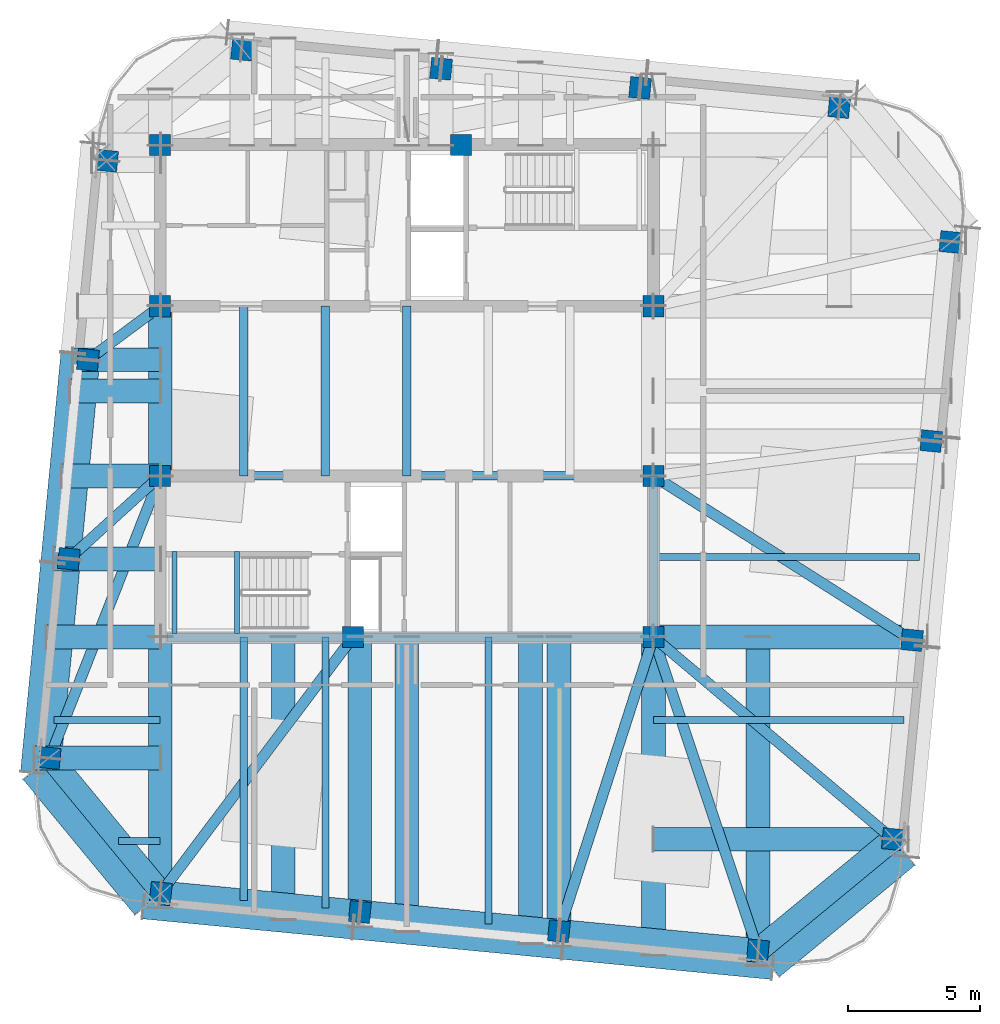
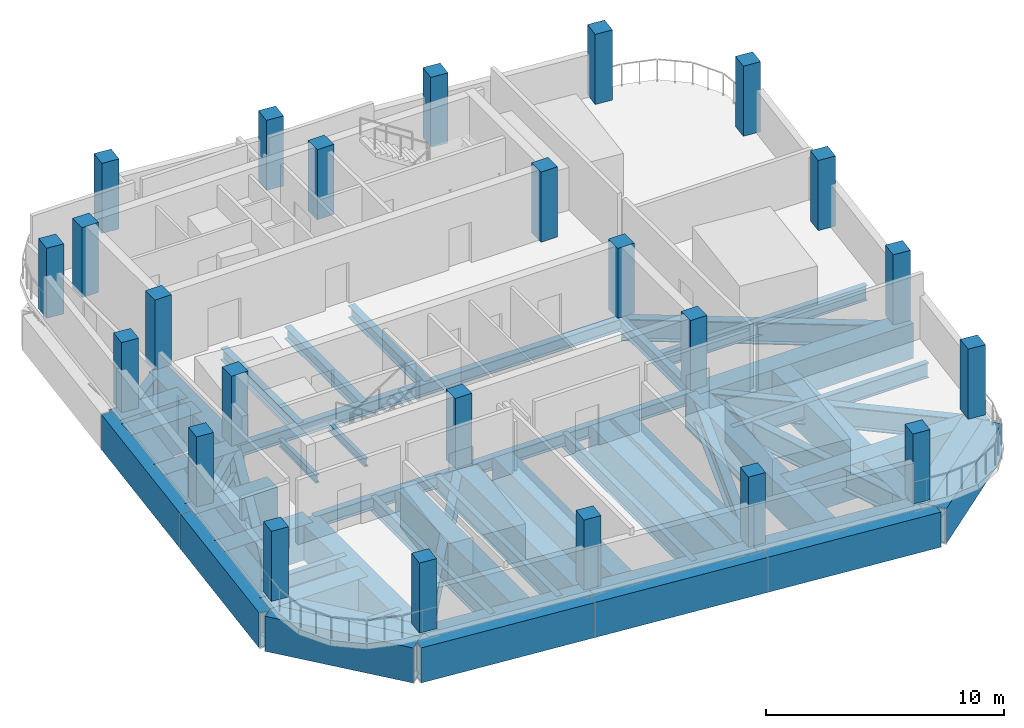
# One storey, part 1 of 10: 54 beams, 24 columns.
"""IFC4 building model written with IfcOpenShell, lengths in metres."""

from ifc_helpers import new_model, si_unit, direction, frame, origin, origin_2d, place, context, subcontext, project, spatial, rectangle, hollow_rectangle, i_section, extrude, material, material_profile, profile_set, type_object, element, save


model = new_model("IFC4")

# Units and contexts
model_context = context("Model", 3, precision=1e-05, world=origin(), true_north=direction((0.0, 1.0)))
body_context = subcontext(model_context, "Body", "Model", "MODEL_VIEW")
ifc_project = project(units=[si_unit("LENGTHUNIT", "METRE"), si_unit("AREAUNIT", "SQUARE_METRE"), si_unit("VOLUMEUNIT", "CUBIC_METRE"), si_unit("PLANEANGLEUNIT", "RADIAN"), si_unit("MASSUNIT", "GRAM", prefix="KILO")], contexts=[model_context])

# Site, building, storey
site_placement = place(None, origin())
site = spatial("IfcSite", under=ifc_project, at=site_placement, CompositionType="ELEMENT")
building_placement = place(site_placement, origin())
building = spatial("IfcBuilding", under=site, at=building_placement, Name="Qhalaya Broadcast Tower", CompositionType="ELEMENT")
storey_placement = place(building_placement, frame((0.0, 0.0, 289.25)))
storey = spatial("IfcBuildingStorey", under=building, at=storey_placement, Name="L85", CompositionType="ELEMENT", Elevation=289.25)

# Columns
ifc_material_1 = material(Name="Concrete C50/60", Category="concrete")
ifc_material_profile_1 = material_profile(ifc_material_1, rectangle(XDim=0.800048828125, YDim=0.800048828125, at=origin_2d()), Name="RC-COL 800x800")
ifc_profile_set_1 = profile_set([ifc_material_profile_1], Name="Concrete C50/60")
column_type = type_object("IfcColumnType", Name="RC Upper Column C10", PredefinedType="COLUMN", material=ifc_profile_set_1)
for number, where, z_axis, x_axis, name in (
    (1, (-9.3505859375, -18.47314453125, 0.0), (0.0, 0.0, 1.0), (0.995396198367, -0.09584575252, 0.0), "L85 Column COL-CR01"),
    (2, (-1.78564453125, -19.20166015625, 0.0), (0.0, 0.0, 1.0), (0.995396198367, -0.09584575252, 0.0), "L85 Column COL-CR02"),
    (3, (5.779296875, -19.93017578125, 0.0), (0.0, 0.0, 1.0), (0.995396198367, -0.09584575252, 0.0), "L85 Column COL-CR03"),
    (4, (13.344482421875, -20.658447265625, 0.0), (0.0, 0.0, 1.0), (0.995396198367, -0.09584575252, 0.0), "L85 Column COL-CR04"),
    (5, (18.47314453125, -16.4306640625, 0.0), (0.0, 0.0, 1.0), (0.09584575252, 0.995396198367, 0.0), "L85 Column COL-CR05"),
    (6, (19.20166015625, -8.865478515625, 0.0), (0.0, 0.0, 1.0), (0.09584575252, 0.995396198367, 0.0), "L85 Column COL-CR06"),
    (7, (19.93017578125, -1.300537109375, 0.0), (0.0, 0.0, 1.0), (0.09584575252, 0.995396198367, 0.0), "L85 Column COL-CR07"),
    (8, (20.658447265625, 6.264404296875, 0.0), (0.0, 0.0, 1.0), (0.09584575252, 0.995396198367, 0.0), "L85 Column COL-CR08"),
    (9, (16.4306640625, 11.393310546875, 0.0), (0.0, 0.0, 1.0), (0.995396198367, -0.09584575252, 0.0), "L85 Column COL-CR09"),
    (10, (8.865478515625, 12.12158203125, 0.0), (0.0, 0.0, 1.0), (0.995396198367, -0.09584575252, 0.0), "L85 Column COL-CR10"),
    (11, (1.300537109375, 12.85009765625, 0.0), (0.0, 0.0, 1.0), (0.995396198367, -0.09584575252, 0.0), "L85 Column COL-CR11"),
    (12, (-6.264404296875, 13.57861328125, 0.0), (0.0, 0.0, 1.0), (0.995396198367, -0.09584575252, 0.0), "L85 Column COL-CR12"),
    (13, (-11.393310546875, 9.3505859375, 0.0), (0.0, 0.0, 1.0), (0.09584575252, 0.995396198367, 0.0), "L85 Column COL-CR13"),
    (14, (-12.12158203125, 1.78564453125, 0.0), (0.0, 0.0, 1.0), (0.09584575252, 0.995396198367, 0.0), "L85 Column COL-CR14"),
    (15, (-12.85009765625, -5.779296875, 0.0), (0.0, 0.0, 1.0), (0.09584575252, 0.995396198367, 0.0), "L85 Column COL-CR15"),
    (16, (-13.57861328125, -13.344482421875, 0.0), (0.0, 0.0, 1.0), (0.09584575252, 0.995396198367, 0.0), "L85 Column COL-CR16"),
    (17, (-9.375, 9.949951171875, 0.0), (0.0, 0.0, 1.0), (1.0, 0.0, 0.0), "L85 Column COL-CC1"),
    (18, (2.050048828125, 9.949951171875, 0.0), (0.0, 0.0, 1.0), (1.0, 0.0, 0.0), "L85 Column COL-CC2"),
    (19, (-9.375, 3.824951171875, 0.0), (0.0, 0.0, 1.0), (1.0, 0.0, 0.0), "L85 Column COL-CC3"),
    (20, (9.375, 3.824951171875, 0.0), (0.0, 0.0, 1.0), (1.0, 0.0, 0.0), "L85 Column COL-CC4"),
    (21, (-9.375, -2.625, 0.0), (0.0, 0.0, 1.0), (1.0, 0.0, 0.0), "L85 Column COL-CC5"),
    (22, (9.375, -2.625, 0.0), (0.0, 0.0, 1.0), (1.0, 0.0, 0.0), "L85 Column COL-CC6"),
    (23, (-2.050048828125, -8.75, 0.0), (0.0, 0.0, 1.0), (1.0, 0.0, 0.0), "L85 Column COL-CC7"),
    (24, (9.375, -8.75, 0.0), (0.0, 0.0, 1.0), (1.0, 0.0, 0.0), "L85 Column COL-CC8"),
):
    element("IfcColumn", number, at=place(storey_placement, frame(where, z_axis=z_axis, x_axis=x_axis)), inside=storey, type_object=column_type, Name=name, PredefinedType="COLUMN", context=body_context, shape_type="SweptSolid", body=[
        extrude(rectangle(XDim=0.800048828125, YDim=0.800048828125, at=origin_2d()), origin(), (0.0, 0.0, 1.0), 3.60009765625),
    ])

# Beams
ifc_material_2 = material(Name="Structural Steel ASTM A572 Grade 50", Category="steel")
ifc_material_profile_2 = material_profile(ifc_material_2, hollow_rectangle(XDim=0.89990234375, YDim=1.800048828125, WallThickness=0.06005859375, at=origin_2d()), Name="BOX 900x1800x60")
ifc_profile_set_2 = profile_set([ifc_material_profile_2], Name="Structural Steel ASTM A572 Grade 50")
beam_type_1 = type_object("IfcBeamType", Name="Block Cantilever Transfer Box Girder TG1", PredefinedType="USERDEFINED", material=ifc_profile_set_2)
for number, where, z_axis, x_axis, name in (
    (25, (-9.3505859375, -18.47314453125, -1.179931640625), (0.995395010529, -0.095858087892, 0.0), (0.095858087892, 0.995395010529, 0.0), "L85 TG1 L85-SPR-01"),
    (26, (-1.78564453125, -19.20166015625, -1.179931640625), (0.995395010529, -0.095858087892, 0.0), (0.095858087892, 0.995395010529, 0.0), "L85 TG1 L85-SPR-02"),
):
    element("IfcBeam", number, at=place(storey_placement, frame(where, z_axis=z_axis, x_axis=x_axis)), inside=storey, type_object=beam_type_1, Name=name, ObjectType="GIRDER", PredefinedType="USERDEFINED", context=body_context, shape_type="SweptSolid", body=[
        extrude(hollow_rectangle(XDim=0.89990234375, YDim=1.800048828125, WallThickness=0.06005859375, at=origin_2d()), origin(), (0.0, 0.0, 1.0), 7.599853515625),
    ])
beam_1_placement = place(storey_placement, frame((5.779296875, -19.93017578125, -1.179931640625), z_axis=(0.995398370168, -0.09582319483, 0.0), x_axis=(0.09582319483, 0.995398370168, 0.0)))
element("IfcBeam", 27, at=beam_1_placement, inside=storey, type_object=beam_type_1, Name="L85 TG1 L85-SPR-03", ObjectType="GIRDER", PredefinedType="USERDEFINED", context=body_context, shape_type="SweptSolid", body=[
    extrude(hollow_rectangle(XDim=0.89990234375, YDim=1.800048828125, WallThickness=0.06005859375, at=origin_2d()), origin(), (0.0, 0.0, 1.0), 7.60009765625),
])
beam_2_placement = place(storey_placement, frame((13.344482421875, -20.658447265625, -1.179931640625), z_axis=(0.771621598903, 0.63608184073, 0.0), x_axis=(-0.63608184073, 0.771621598903, 0.0)))
element("IfcBeam", 28, at=beam_2_placement, inside=storey, type_object=beam_type_1, Name="L85 TG1 L85-SPR-04", ObjectType="GIRDER", PredefinedType="USERDEFINED", context=body_context, shape_type="SweptSolid", body=[
    extrude(hollow_rectangle(XDim=0.89990234375, YDim=1.800048828125, WallThickness=0.06005859375, at=origin_2d()), origin(), (0.0, 0.0, 1.0), 6.646484375),
])
beam_3_placement = place(storey_placement, frame((-12.12158203125, 1.78564453125, -1.179931640625), z_axis=(-0.095858087892, -0.995395010529, 0.0), x_axis=(0.995395010529, -0.095858087892, 0.0)))
element("IfcBeam", 29, at=beam_3_placement, inside=storey, type_object=beam_type_1, Name="L85 TG1 L85-SPR-14", ObjectType="GIRDER", PredefinedType="USERDEFINED", context=body_context, shape_type="SweptSolid", body=[
    extrude(hollow_rectangle(XDim=0.89990234375, YDim=1.800048828125, WallThickness=0.06005859375, at=origin_2d()), origin(), (0.0, 0.0, 1.0), 7.599853515625),
])
beam_4_placement = place(storey_placement, frame((-12.85009765625, -5.779296875, -1.179931640625), z_axis=(-0.095855022822, -0.995395305695, 0.0), x_axis=(0.995395305695, -0.095855022822, 0.0)))
element("IfcBeam", 30, at=beam_4_placement, inside=storey, type_object=beam_type_1, Name="L85 TG1 L85-SPR-15", ObjectType="GIRDER", PredefinedType="USERDEFINED", context=body_context, shape_type="SweptSolid", body=[
    extrude(hollow_rectangle(XDim=0.89990234375, YDim=1.800048828125, WallThickness=0.06005859375, at=origin_2d()), origin(), (0.0, 0.0, 1.0), 7.60009765625),
])
beam_5_placement = place(storey_placement, frame((-13.57861328125, -13.344482421875, -1.179931640625), z_axis=(0.636103709979, -0.771603570593, 0.0), x_axis=(0.771603570593, 0.636103709979, 0.0)))
element("IfcBeam", 31, at=beam_5_placement, inside=storey, type_object=beam_type_1, Name="L85 TG1 L85-SPR-16", ObjectType="GIRDER", PredefinedType="USERDEFINED", context=body_context, shape_type="SweptSolid", body=[
    extrude(hollow_rectangle(XDim=0.89990234375, YDim=1.800048828125, WallThickness=0.06005859375, at=origin_2d()), origin(), (0.0, 0.0, 1.0), 6.646728515625),
])
for number, where, z_axis, x_axis, name in (
    (32, (-10.00537109375, -19.012939453125, -1.179931640625), (0.995395208061, -0.095856036684, 0.0), (0.095856036684, 0.995395208061, 0.0), "L85 TG1 L85-TGL-01"),
    (33, (-2.042236328125, -19.77978515625, -1.179931640625), (0.995398119444, -0.095825799278, 0.0), (0.095825799278, 0.995398119444, 0.0), "L85 TG1 L85-TGL-02"),
    (34, (5.9208984375, -20.54638671875, -1.179931640625), (0.995395208061, -0.095856036684, 0.0), (0.095856036684, 0.995395208061, 0.0), "L85 TG1 L85-TGL-03"),
):
    element("IfcBeam", number, at=place(storey_placement, frame(where, z_axis=z_axis, x_axis=x_axis)), inside=storey, type_object=beam_type_1, Name=name, ObjectType="GIRDER", PredefinedType="USERDEFINED", context=body_context, shape_type="SweptSolid", body=[
        extrude(hollow_rectangle(XDim=0.89990234375, YDim=1.800048828125, WallThickness=0.06005859375, at=origin_2d()), origin(), (0.0, 0.0, 1.0), 8.0),
    ])
beam_6_placement = place(storey_placement, frame((13.884033203125, -21.313232421875, -1.179931640625), z_axis=(0.771636459898, 0.636063812645, 0.0), x_axis=(-0.636063812645, 0.771636459898, 0.0)))
element("IfcBeam", 35, at=beam_6_placement, inside=storey, type_object=beam_type_1, Name="L85 TG1 L85-TGL-04", ObjectType="GIRDER", PredefinedType="USERDEFINED", context=body_context, shape_type="SweptSolid", body=[
    extrude(hollow_rectangle(XDim=0.89990234375, YDim=1.800048828125, WallThickness=0.06005859375, at=origin_2d()), origin(), (0.0, 0.0, 1.0), 6.646728515625),
])
for number, where, z_axis, x_axis, name in (
    (36, (-12.69970703125, 2.042236328125, -1.179931640625), (-0.095856036684, -0.995395208061, 0.0), (0.995395208061, -0.095856036684, 0.0), "L85 TG1 L85-TGL-14"),
    (37, (-13.466552734375, -5.9208984375, -1.179931640625), (-0.095856036684, -0.995395208061, 0.0), (0.995395208061, -0.095856036684, 0.0), "L85 TG1 L85-TGL-15"),
):
    element("IfcBeam", number, at=place(storey_placement, frame(where, z_axis=z_axis, x_axis=x_axis)), inside=storey, type_object=beam_type_1, Name=name, ObjectType="GIRDER", PredefinedType="USERDEFINED", context=body_context, shape_type="SweptSolid", body=[
        extrude(hollow_rectangle(XDim=0.89990234375, YDim=1.800048828125, WallThickness=0.06005859375, at=origin_2d()), origin(), (0.0, 0.0, 1.0), 8.0),
    ])
beam_7_placement = place(storey_placement, frame((-14.2333984375, -13.884033203125, -1.179931640625), z_axis=(0.636085682117, -0.771618432262, 0.0), x_axis=(0.771618432262, 0.636085682117, 0.0)))
element("IfcBeam", 38, at=beam_7_placement, inside=storey, type_object=beam_type_1, Name="L85 TG1 L85-TGL-16", ObjectType="GIRDER", PredefinedType="USERDEFINED", context=body_context, shape_type="SweptSolid", body=[
    extrude(hollow_rectangle(XDim=0.89990234375, YDim=1.800048828125, WallThickness=0.06005859375, at=origin_2d()), origin(), (0.0, 0.0, 1.0), 6.64697265625),
])
beam_8_placement = place(storey_placement, frame((0.0, -19.936279296875, -1.179931640625), z_axis=(0.0, 1.0, 0.0), x_axis=(-1.0, 0.0, 0.0)))
element("IfcBeam", 39, at=beam_8_placement, inside=storey, type_object=beam_type_1, Name="L85 TG1 L85-TGIMS-1", ObjectType="GIRDER", PredefinedType="USERDEFINED", context=body_context, shape_type="SweptSolid", body=[
    extrude(hollow_rectangle(XDim=0.89990234375, YDim=1.800048828125, WallThickness=0.06005859375, at=origin_2d()), origin(), (0.0, 0.0, 1.0), 11.186279296875),
])
beam_9_placement = place(storey_placement, frame((-4.699951171875, -19.483642578125, -1.179931640625), z_axis=(0.0, 1.0, 0.0), x_axis=(-1.0, 0.0, 0.0)))
element("IfcBeam", 40, at=beam_9_placement, inside=storey, type_object=beam_type_1, Name="L85 TG1 L85-TGIMSW-1", ObjectType="GIRDER", PredefinedType="USERDEFINED", context=body_context, shape_type="SweptSolid", body=[
    extrude(hollow_rectangle(XDim=0.89990234375, YDim=1.800048828125, WallThickness=0.06005859375, at=origin_2d()), origin(), (0.0, 0.0, 1.0), 10.733642578125),
])
beam_10_placement = place(storey_placement, frame((4.699951171875, -20.388671875, -1.179931640625), z_axis=(0.0, 1.0, 0.0), x_axis=(-1.0, 0.0, 0.0)))
element("IfcBeam", 41, at=beam_10_placement, inside=storey, type_object=beam_type_1, Name="L85 TG1 L85-TGIMSE-1", ObjectType="GIRDER", PredefinedType="USERDEFINED", context=body_context, shape_type="SweptSolid", body=[
    extrude(hollow_rectangle(XDim=0.89990234375, YDim=1.800048828125, WallThickness=0.06005859375, at=origin_2d()), origin(), (0.0, 0.0, 1.0), 11.638671875),
])
beam_11_placement = place(storey_placement, frame((-12.79833984375, 0.60009765625, -1.179931640625), z_axis=(1.0, 0.0, 0.0), x_axis=(0.0, 1.0, 0.0)))
element("IfcBeam", 42, at=beam_11_placement, inside=storey, type_object=beam_type_1, Name="L85 TG1 L85-TGIYW-1", ObjectType="GIRDER", PredefinedType="USERDEFINED", context=body_context, shape_type="SweptSolid", body=[
    extrude(hollow_rectangle(XDim=0.89990234375, YDim=1.800048828125, WallThickness=0.06005859375, at=origin_2d()), origin(), (0.0, 0.0, 1.0), 3.42333984375),
])
beam_12_placement = place(storey_placement, frame((-9.375, -19.033447265625, -1.179931640625), z_axis=(0.0, 1.0, 0.0), x_axis=(-1.0, 0.0, 0.0)))
element("IfcBeam", 43, at=beam_12_placement, inside=storey, type_object=beam_type_1, Name="L85 TG1 L85-TGISW-1", ObjectType="GIRDER", PredefinedType="USERDEFINED", context=body_context, shape_type="SweptSolid", body=[
    extrude(hollow_rectangle(XDim=0.89990234375, YDim=1.800048828125, WallThickness=0.06005859375, at=origin_2d()), origin(), (0.0, 0.0, 1.0), 10.283447265625),
])
beam_13_placement = place(storey_placement, frame((9.375, -20.8388671875, -1.179931640625), z_axis=(0.0, 1.0, 0.0), x_axis=(-1.0, 0.0, 0.0)))
element("IfcBeam", 44, at=beam_13_placement, inside=storey, type_object=beam_type_1, Name="L85 TG1 L85-TGISE-1", ObjectType="GIRDER", PredefinedType="USERDEFINED", context=body_context, shape_type="SweptSolid", body=[
    extrude(hollow_rectangle(XDim=0.89990234375, YDim=1.800048828125, WallThickness=0.06005859375, at=origin_2d()), origin(), (0.0, 0.0, 1.0), 12.0888671875),
])
beam_14_placement = place(storey_placement, frame((-9.375, -2.625, -1.179931640625), z_axis=(0.0, 1.0, 0.0), x_axis=(-1.0, 0.0, 0.0)))
element("IfcBeam", 45, at=beam_14_placement, inside=storey, type_object=beam_type_1, Name="L85 TG1 L85-TGIMW-1", ObjectType="GIRDER", PredefinedType="USERDEFINED", context=body_context, shape_type="SweptSolid", body=[
    extrude(hollow_rectangle(XDim=0.89990234375, YDim=1.800048828125, WallThickness=0.06005859375, at=origin_2d()), origin(), (0.0, 0.0, 1.0), 6.449951171875),
])
beam_15_placement = place(storey_placement, frame((-13.69873046875, -8.75, -1.179931640625), z_axis=(1.0, 0.0, 0.0), x_axis=(0.0, 1.0, 0.0)))
element("IfcBeam", 46, at=beam_15_placement, inside=storey, type_object=beam_type_1, Name="L85 TG1 L85-TGIY1W-1", ObjectType="GIRDER", PredefinedType="USERDEFINED", context=body_context, shape_type="SweptSolid", body=[
    extrude(hollow_rectangle(XDim=0.89990234375, YDim=1.800048828125, WallThickness=0.06005859375, at=origin_2d()), origin(), (0.0, 0.0, 1.0), 4.32373046875),
])
beam_16_placement = place(storey_placement, frame((9.375, -8.75, -1.179931640625), z_axis=(1.0, 0.0, 0.0), x_axis=(0.0, 1.0, 0.0)))
element("IfcBeam", 47, at=beam_16_placement, inside=storey, type_object=beam_type_1, Name="L85 TG1 L85-TGIY1E-1", ObjectType="GIRDER", PredefinedType="USERDEFINED", context=body_context, shape_type="SweptSolid", body=[
    extrude(hollow_rectangle(XDim=0.89990234375, YDim=1.800048828125, WallThickness=0.06005859375, at=origin_2d()), origin(), (0.0, 0.0, 1.0), 10.400390625),
])
beam_17_placement = place(storey_placement, frame((-13.10888671875, -2.625, -1.179931640625), z_axis=(1.0, 0.0, 0.0), x_axis=(0.0, 1.0, 0.0)))
element("IfcBeam", 48, at=beam_17_placement, inside=storey, type_object=beam_type_1, Name="L85 TG1 L85-TGIY2W-1", ObjectType="GIRDER", PredefinedType="USERDEFINED", context=body_context, shape_type="SweptSolid", body=[
    extrude(hollow_rectangle(XDim=0.89990234375, YDim=1.800048828125, WallThickness=0.06005859375, at=origin_2d()), origin(), (0.0, 0.0, 1.0), 3.73388671875),
])
beam_18_placement = place(storey_placement, frame((-1.78564453125, -19.76416015625, -1.179931640625), z_axis=(0.0, 1.0, 0.0), x_axis=(-1.0, 0.0, 0.0)))
element("IfcBeam", 49, at=beam_18_placement, inside=storey, type_object=beam_type_1, Name="L85 Spanning Transfer Box Girder 02", ObjectType="GIRDER", PredefinedType="USERDEFINED", context=body_context, shape_type="SweptSolid", body=[
    extrude(hollow_rectangle(XDim=0.89990234375, YDim=1.800048828125, WallThickness=0.06005859375, at=origin_2d()), origin(), (0.0, 0.0, 1.0), 11.01416015625),
])
beam_19_placement = place(storey_placement, frame((5.779296875, -20.49267578125, -1.179931640625), z_axis=(0.0, 1.0, 0.0), x_axis=(-1.0, 0.0, 0.0)))
element("IfcBeam", 50, at=beam_19_placement, inside=storey, type_object=beam_type_1, Name="L85 Spanning Transfer Box Girder 03", ObjectType="GIRDER", PredefinedType="USERDEFINED", context=body_context, shape_type="SweptSolid", body=[
    extrude(hollow_rectangle(XDim=0.89990234375, YDim=1.800048828125, WallThickness=0.06005859375, at=origin_2d()), origin(), (0.0, 0.0, 1.0), 11.74267578125),
])
beam_20_placement = place(storey_placement, frame((13.344482421875, -21.22119140625, -1.179931640625), z_axis=(0.0, 1.0, 0.0), x_axis=(-1.0, 0.0, 0.0)))
element("IfcBeam", 51, at=beam_20_placement, inside=storey, type_object=beam_type_1, Name="L85 Spanning Transfer Box Girder 04", ObjectType="GIRDER", PredefinedType="USERDEFINED", context=body_context, shape_type="SweptSolid", body=[
    extrude(hollow_rectangle(XDim=0.89990234375, YDim=1.800048828125, WallThickness=0.06005859375, at=origin_2d()), origin(), (0.0, 0.0, 1.0), 12.47119140625),
])
beam_21_placement = place(storey_placement, frame((9.375, -16.4306640625, -1.179931640625), z_axis=(1.0, 0.0, 0.0), x_axis=(0.0, 1.0, 0.0)))
element("IfcBeam", 52, at=beam_21_placement, inside=storey, type_object=beam_type_1, Name="L85 Spanning Transfer Box Girder 05", ObjectType="GIRDER", PredefinedType="USERDEFINED", context=body_context, shape_type="SweptSolid", body=[
    extrude(hollow_rectangle(XDim=0.89990234375, YDim=1.800048828125, WallThickness=0.06005859375, at=origin_2d()), origin(), (0.0, 0.0, 1.0), 9.660888671875),
])
beam_22_placement = place(storey_placement, frame((-12.68408203125, 1.78564453125, -1.179931640625), z_axis=(1.0, 0.0, 0.0), x_axis=(0.0, 1.0, 0.0)))
element("IfcBeam", 53, at=beam_22_placement, inside=storey, type_object=beam_type_1, Name="L85 Spanning Transfer Box Girder 14", ObjectType="GIRDER", PredefinedType="USERDEFINED", context=body_context, shape_type="SweptSolid", body=[
    extrude(hollow_rectangle(XDim=0.89990234375, YDim=1.800048828125, WallThickness=0.06005859375, at=origin_2d()), origin(), (0.0, 0.0, 1.0), 3.30908203125),
])
beam_23_placement = place(storey_placement, frame((-13.41259765625, -5.779296875, -1.179931640625), z_axis=(1.0, 0.0, 0.0), x_axis=(0.0, 1.0, 0.0)))
element("IfcBeam", 54, at=beam_23_placement, inside=storey, type_object=beam_type_1, Name="L85 Spanning Transfer Box Girder 15", ObjectType="GIRDER", PredefinedType="USERDEFINED", context=body_context, shape_type="SweptSolid", body=[
    extrude(hollow_rectangle(XDim=0.89990234375, YDim=1.800048828125, WallThickness=0.06005859375, at=origin_2d()), origin(), (0.0, 0.0, 1.0), 4.03759765625),
])
beam_24_placement = place(storey_placement, frame((-14.14111328125, -13.344482421875, -1.179931640625), z_axis=(1.0, 0.0, 0.0), x_axis=(0.0, 1.0, 0.0)))
element("IfcBeam", 55, at=beam_24_placement, inside=storey, type_object=beam_type_1, Name="L85 Spanning Transfer Box Girder 16", ObjectType="GIRDER", PredefinedType="USERDEFINED", context=body_context, shape_type="SweptSolid", body=[
    extrude(hollow_rectangle(XDim=0.89990234375, YDim=1.800048828125, WallThickness=0.06005859375, at=origin_2d()), origin(), (0.0, 0.0, 1.0), 4.76611328125),
])
ifc_material_3 = material(Name="Structural Steel ASTM A992 Grade 50", Category="steel")
ifc_material_profile_3 = material_profile(ifc_material_3, i_section(OverallWidth=0.323974609375, OverallDepth=0.612060546875, WebThickness=0.0126953125, FlangeThickness=0.01904296875, at=origin_2d()), Name="W24X104")
ifc_profile_set_3 = profile_set([ifc_material_profile_3], Name="Structural Steel ASTM A992 Grade 50")
beam_type_2 = type_object("IfcBeamType", Name="Core Frame Tie Beam B04", PredefinedType="BEAM", material=ifc_profile_set_3)
beam_25_placement = place(storey_placement, frame((-9.375, -2.625, -0.5859375), z_axis=(1.0, 0.0, 0.0), x_axis=(0.0, 1.0, 0.0)))
element("IfcBeam", 56, at=beam_25_placement, inside=storey, type_object=beam_type_2, Name="L85 B04 L85-CCS1", PredefinedType="BEAM", context=body_context, shape_type="SweptSolid", body=[
    extrude(i_section(OverallWidth=0.323974609375, OverallDepth=0.612060546875, WebThickness=0.0126953125, FlangeThickness=0.01904296875, at=origin_2d()), origin(), (0.0, 0.0, 1.0), 18.75),
])
beam_26_placement = place(storey_placement, frame((9.375, -8.75, -0.5859375), z_axis=(0.0, 1.0, 0.0), x_axis=(-1.0, 0.0, 0.0)))
element("IfcBeam", 57, at=beam_26_placement, inside=storey, type_object=beam_type_2, Name="L85 B04 L85-CCS2", PredefinedType="BEAM", context=body_context, shape_type="SweptSolid", body=[
    extrude(i_section(OverallWidth=0.323974609375, OverallDepth=0.612060546875, WebThickness=0.0126953125, FlangeThickness=0.01904296875, at=origin_2d()), origin(), (0.0, 0.0, 1.0), 6.125),
])
beam_27_placement = place(storey_placement, frame((-9.1201171875, -8.75, -0.5859375), z_axis=(1.0, 0.0, 0.0), x_axis=(0.0, 1.0, 0.0)))
element("IfcBeam", 58, at=beam_27_placement, inside=storey, type_object=beam_type_2, Name="L85 B04 L85-CCS3", PredefinedType="BEAM", context=body_context, shape_type="SweptSolid", body=[
    extrude(i_section(OverallWidth=0.323974609375, OverallDepth=0.612060546875, WebThickness=0.0126953125, FlangeThickness=0.01904296875, at=origin_2d()), origin(), (0.0, 0.0, 1.0), 18.4951171875),
])
for number, where, z_axis, x_axis, name in (
    (59, (-6.199951171875, -2.625, -0.5859375), (0.0, 1.0, 0.0), (-1.0, 0.0, 0.0), "L85 B04 L85-JC1-1"),
    (60, (-3.10009765625, -2.625, -0.5859375), (0.0, 1.0, 0.0), (-1.0, 0.0, 0.0), "L85 B04 L85-JC2-1"),
    (61, (0.0, -2.625, -0.5859375), (0.0, 1.0, 0.0), (-1.0, 0.0, 0.0), "L85 B04 L85-JC3-1"),
):
    element("IfcBeam", number, at=place(storey_placement, frame(where, z_axis=z_axis, x_axis=x_axis)), inside=storey, type_object=beam_type_2, Name=name, PredefinedType="BEAM", context=body_context, shape_type="SweptSolid", body=[
        extrude(i_section(OverallWidth=0.323974609375, OverallDepth=0.612060546875, WebThickness=0.0126953125, FlangeThickness=0.01904296875, at=origin_2d()), origin(), (0.0, 0.0, 1.0), 6.449951171875),
    ])
ifc_material_profile_4 = material_profile(ifc_material_3, i_section(OverallWidth=0.26708984375, OverallDepth=0.761962890625, WebThickness=0.014404296875, FlangeThickness=0.021484375, at=origin_2d()), Name="W30X116")
ifc_profile_set_4 = profile_set([ifc_material_profile_4], Name="Structural Steel ASTM A992 Grade 50")
beam_type_3 = type_object("IfcBeamType", Name="Plant & Server Floor Beam B02", PredefinedType="BEAM", material=ifc_profile_set_4)
beam_28_placement = place(storey_placement, frame((-6.199951171875, -18.756591796875, -0.660888671875), z_axis=(0.0, 1.0, 0.0), x_axis=(-1.0, 0.0, 0.0)))
element("IfcBeam", 62, at=beam_28_placement, inside=storey, type_object=beam_type_3, Name="L85 B02 L85-JNS1-1", PredefinedType="BEAM", context=body_context, shape_type="SweptSolid", body=[
    extrude(i_section(OverallWidth=0.26708984375, OverallDepth=0.761962890625, WebThickness=0.014404296875, FlangeThickness=0.021484375, at=origin_2d()), origin(), (0.0, 0.0, 1.0), 10.006591796875),
])
beam_29_placement = place(storey_placement, frame((-3.10009765625, -19.054931640625, -0.660888671875), z_axis=(0.0, 1.0, 0.0), x_axis=(-1.0, 0.0, 0.0)))
element("IfcBeam", 63, at=beam_29_placement, inside=storey, type_object=beam_type_3, Name="L85 B02 L85-JNS2-1", PredefinedType="BEAM", context=body_context, shape_type="SweptSolid", body=[
    extrude(i_section(OverallWidth=0.26708984375, OverallDepth=0.761962890625, WebThickness=0.014404296875, FlangeThickness=0.021484375, at=origin_2d()), origin(), (0.0, 0.0, 1.0), 10.304931640625),
])
beam_30_placement = place(storey_placement, frame((3.10009765625, -19.652099609375, -0.660888671875), z_axis=(0.0, 1.0, 0.0), x_axis=(-1.0, 0.0, 0.0)))
element("IfcBeam", 64, at=beam_30_placement, inside=storey, type_object=beam_type_3, Name="L85 B02 L85-JNS4-1", PredefinedType="BEAM", context=body_context, shape_type="SweptSolid", body=[
    extrude(i_section(OverallWidth=0.26708984375, OverallDepth=0.761962890625, WebThickness=0.014404296875, FlangeThickness=0.021484375, at=origin_2d()), origin(), (0.0, 0.0, 1.0), 10.902099609375),
])
beam_31_placement = place(storey_placement, frame((-10.951416015625, -16.5, -0.660888671875), z_axis=(1.0, 0.0, 0.0), x_axis=(0.0, 1.0, 0.0)))
element("IfcBeam", 65, at=beam_31_placement, inside=storey, type_object=beam_type_3, Name="L85 B02 L85-JWE1W-1", PredefinedType="BEAM", context=body_context, shape_type="SweptSolid", body=[
    extrude(i_section(OverallWidth=0.26708984375, OverallDepth=0.761962890625, WebThickness=0.014404296875, FlangeThickness=0.021484375, at=origin_2d()), origin(), (0.0, 0.0, 1.0), 1.576416015625),
])
beam_32_placement = place(storey_placement, frame((-13.419189453125, -11.89990234375, -0.660888671875), z_axis=(1.0, 0.0, 0.0), x_axis=(0.0, 1.0, 0.0)))
element("IfcBeam", 66, at=beam_32_placement, inside=storey, type_object=beam_type_3, Name="L85 B02 L85-JWE2W-1", PredefinedType="BEAM", context=body_context, shape_type="SweptSolid", body=[
    extrude(i_section(OverallWidth=0.26708984375, OverallDepth=0.761962890625, WebThickness=0.014404296875, FlangeThickness=0.021484375, at=origin_2d()), origin(), (0.0, 0.0, 1.0), 4.044189453125),
])
beam_33_placement = place(storey_placement, frame((9.375, -11.89990234375, -0.660888671875), z_axis=(1.0, 0.0, 0.0), x_axis=(0.0, 1.0, 0.0)))
element("IfcBeam", 67, at=beam_33_placement, inside=storey, type_object=beam_type_3, Name="L85 B02 L85-JWE2E-1", PredefinedType="BEAM", context=body_context, shape_type="SweptSolid", body=[
    extrude(i_section(OverallWidth=0.26708984375, OverallDepth=0.761962890625, WebThickness=0.014404296875, FlangeThickness=0.021484375, at=origin_2d()), origin(), (0.0, 0.0, 1.0), 9.514404296875),
])
beam_34_placement = place(storey_placement, frame((9.375, -5.699951171875, -0.660888671875), z_axis=(1.0, 0.0, 0.0), x_axis=(0.0, 1.0, 0.0)))
element("IfcBeam", 68, at=beam_34_placement, inside=storey, type_object=beam_type_3, Name="L85 B02 L85-JWE3E-1", PredefinedType="BEAM", context=body_context, shape_type="SweptSolid", body=[
    extrude(i_section(OverallWidth=0.26708984375, OverallDepth=0.761962890625, WebThickness=0.014404296875, FlangeThickness=0.021484375, at=origin_2d()), origin(), (0.0, 0.0, 1.0), 10.111328125),
])
ifc_material_profile_5 = material_profile(ifc_material_3, i_section(OverallWidth=0.404052734375, OverallDepth=1.117919921875, WebThickness=0.026123046875, FlangeThickness=0.044921875, at=origin_2d()), Name="W44X335")
ifc_profile_set_5 = profile_set([ifc_material_profile_5], Name="Structural Steel ASTM A992 Grade 50")
beam_type_4 = type_object("IfcBeamType", Name="Podium Long-Span Primary Girder PG1", PredefinedType="USERDEFINED", material=ifc_profile_set_5)
beam_35_placement = place(storey_placement, frame((-2.050048828125, -8.75, -0.839111328125), z_axis=(-0.600430412677, -0.799677009506, 0.0), x_axis=(0.799677009506, -0.600430412677, 0.0)))
element("IfcBeam", 69, at=beam_35_placement, inside=storey, type_object=beam_type_4, Name="L85 Column-to-Column Moment Tie Girder 01-1", ObjectType="GIRDER", PredefinedType="USERDEFINED", context=body_context, shape_type="SweptSolid", body=[
    extrude(i_section(OverallWidth=0.404052734375, OverallDepth=1.117919921875, WebThickness=0.026123046875, FlangeThickness=0.044921875, at=origin_2d()), origin(), (0.0, 0.0, 1.0), 12.158935546875),
])
beam_36_placement = place(storey_placement, frame((9.375, -8.75, -0.839111328125), z_axis=(-0.306169329714, -0.951977069862, 0.0), x_axis=(0.951977069862, -0.306169329714, 0.0)))
element("IfcBeam", 70, at=beam_36_placement, inside=storey, type_object=beam_type_4, Name="L85 Column-to-Column Moment Tie Girder 03-1", ObjectType="GIRDER", PredefinedType="USERDEFINED", context=body_context, shape_type="SweptSolid", body=[
    extrude(i_section(OverallWidth=0.404052734375, OverallDepth=1.117919921875, WebThickness=0.026123046875, FlangeThickness=0.044921875, at=origin_2d()), origin(), (0.0, 0.0, 1.0), 11.744140625),
])
beam_37_placement = place(storey_placement, frame((9.375, -8.75, -0.839111328125), z_axis=(0.316227766017, -0.948683298051, 0.0), x_axis=(0.948683298051, 0.316227766017, 0.0)))
element("IfcBeam", 71, at=beam_37_placement, inside=storey, type_object=beam_type_4, Name="L85 Column-to-Column Moment Tie Girder 04-1", ObjectType="GIRDER", PredefinedType="USERDEFINED", context=body_context, shape_type="SweptSolid", body=[
    extrude(i_section(OverallWidth=0.404052734375, OverallDepth=1.117919921875, WebThickness=0.026123046875, FlangeThickness=0.044921875, at=origin_2d()), origin(), (0.0, 0.0, 1.0), 12.552490234375),
])
beam_38_placement = place(storey_placement, frame((9.375, -8.75, -0.839111328125), z_axis=(0.764121548994, -0.645072289254, 0.0), x_axis=(0.645072289254, 0.764121548994, 0.0)))
element("IfcBeam", 72, at=beam_38_placement, inside=storey, type_object=beam_type_4, Name="L85 Column-to-Column Moment Tie Girder 05-1", ObjectType="GIRDER", PredefinedType="USERDEFINED", context=body_context, shape_type="SweptSolid", body=[
    extrude(i_section(OverallWidth=0.404052734375, OverallDepth=1.117919921875, WebThickness=0.026123046875, FlangeThickness=0.044921875, at=origin_2d()), origin(), (0.0, 0.0, 1.0), 11.90673828125),
])
beam_39_placement = place(storey_placement, frame((9.375, -2.625, -0.839111328125), z_axis=(0.844161141575, -0.536089514032, 0.0), x_axis=(0.536089514032, 0.844161141575, 0.0)))
element("IfcBeam", 73, at=beam_39_placement, inside=storey, type_object=beam_type_4, Name="L85 Column-to-Column Moment Tie Girder 06-2", ObjectType="GIRDER", PredefinedType="USERDEFINED", context=body_context, shape_type="SweptSolid", body=[
    extrude(i_section(OverallWidth=0.404052734375, OverallDepth=1.117919921875, WebThickness=0.026123046875, FlangeThickness=0.044921875, at=origin_2d()), origin(), (0.0, 0.0, 1.0), 11.640625),
])
beam_40_placement = place(storey_placement, frame((-9.375, 3.824951171875, -0.839111328125), z_axis=(-0.802885359171, -0.596133458236, 0.0), x_axis=(0.596133458236, -0.802885359171, 0.0)))
element("IfcBeam", 74, at=beam_40_placement, inside=storey, type_object=beam_type_4, Name="L85 Column-to-Column Moment Tie Girder 14-1", ObjectType="GIRDER", PredefinedType="USERDEFINED", context=body_context, shape_type="SweptSolid", body=[
    extrude(i_section(OverallWidth=0.404052734375, OverallDepth=1.117919921875, WebThickness=0.026123046875, FlangeThickness=0.044921875, at=origin_2d()), origin(), (0.0, 0.0, 1.0), 3.4208984375),
])
beam_41_placement = place(storey_placement, frame((-9.375, -2.625, -0.839111328125), z_axis=(-0.7404577038, -0.672102960032, 0.0), x_axis=(0.672102960032, -0.7404577038, 0.0)))
element("IfcBeam", 75, at=beam_41_placement, inside=storey, type_object=beam_type_4, Name="L85 Column-to-Column Moment Tie Girder 15-1", ObjectType="GIRDER", PredefinedType="USERDEFINED", context=body_context, shape_type="SweptSolid", body=[
    extrude(i_section(OverallWidth=0.404052734375, OverallDepth=1.117919921875, WebThickness=0.026123046875, FlangeThickness=0.044921875, at=origin_2d()), origin(), (0.0, 0.0, 1.0), 4.693115234375),
])
beam_42_placement = place(storey_placement, frame((-9.375, -2.625, -0.839111328125), z_axis=(-0.365079601388, -0.930976307244, 0.0), x_axis=(0.930976307244, -0.365079601388, 0.0)))
element("IfcBeam", 76, at=beam_42_placement, inside=storey, type_object=beam_type_4, Name="L85 Column-to-Column Moment Tie Girder 16-1", ObjectType="GIRDER", PredefinedType="USERDEFINED", context=body_context, shape_type="SweptSolid", body=[
    extrude(i_section(OverallWidth=0.404052734375, OverallDepth=1.117919921875, WebThickness=0.026123046875, FlangeThickness=0.044921875, at=origin_2d()), origin(), (0.0, 0.0, 1.0), 11.51416015625),
])
ifc_material_profile_6 = material_profile(ifc_material_3, i_section(OverallWidth=0.177978515625, OverallDepth=0.406005859375, WebThickness=0.0078125, FlangeThickness=0.0126953125, at=origin_2d()), Name="W16X40")
ifc_profile_set_6 = profile_set([ifc_material_profile_6], Name="Structural Steel ASTM A992 Grade 50")
beam_type_5 = type_object("IfcBeamType", Name="Upper Perimeter Spandrel Beam SP2", PredefinedType="SPANDREL", material=ifc_profile_set_6)
for number, where, z_axis, x_axis, name in (
    (77, (-8.830078125, -8.6201171875, 1.39697265625), (0.0, 1.0, 0.0), (-1.0, 0.0, 0.0), "L85 ST-2 Half-Landing Bearer Beam 1"),
    (78, (-6.455078125, -8.6201171875, 1.39697265625), (0.0, 1.0, 0.0), (-1.0, 0.0, 0.0), "L85 ST-2 Half-Landing Bearer Beam 2"),
):
    element("IfcBeam", number, at=place(storey_placement, frame(where, z_axis=z_axis, x_axis=x_axis)), inside=storey, type_object=beam_type_5, Name=name, PredefinedType="SPANDREL", context=body_context, shape_type="SweptSolid", body=[
        extrude(i_section(OverallWidth=0.177978515625, OverallDepth=0.406005859375, WebThickness=0.0078125, FlangeThickness=0.0126953125, at=origin_2d()), origin(), (0.0, 0.0, 1.0), 3.1201171875),
    ])

save(model, "model.ifc")
